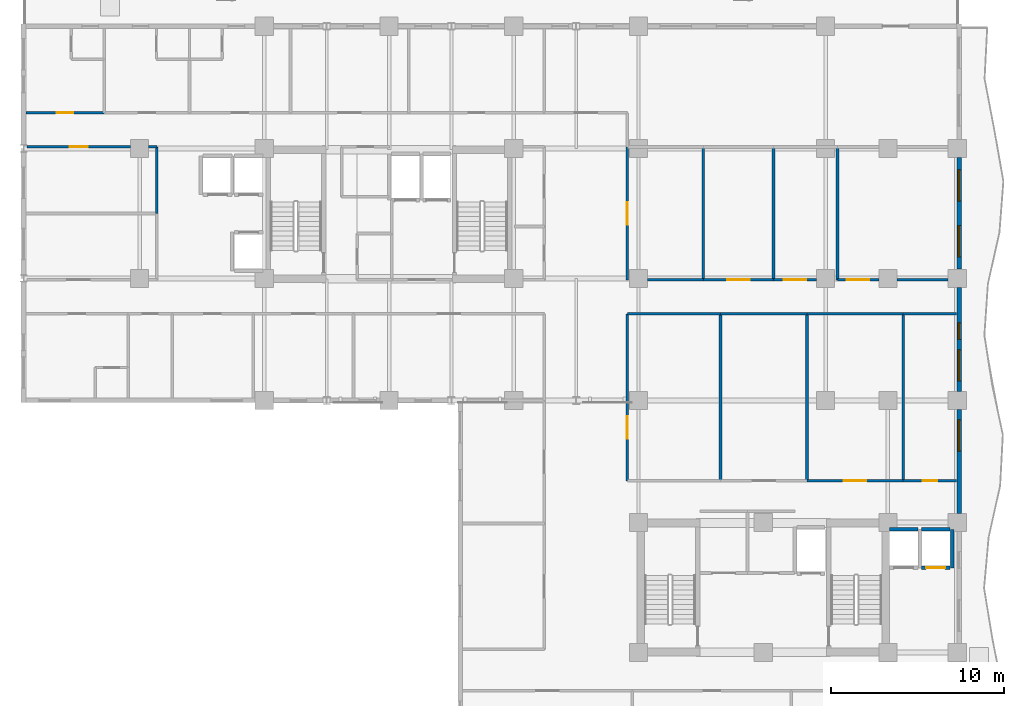
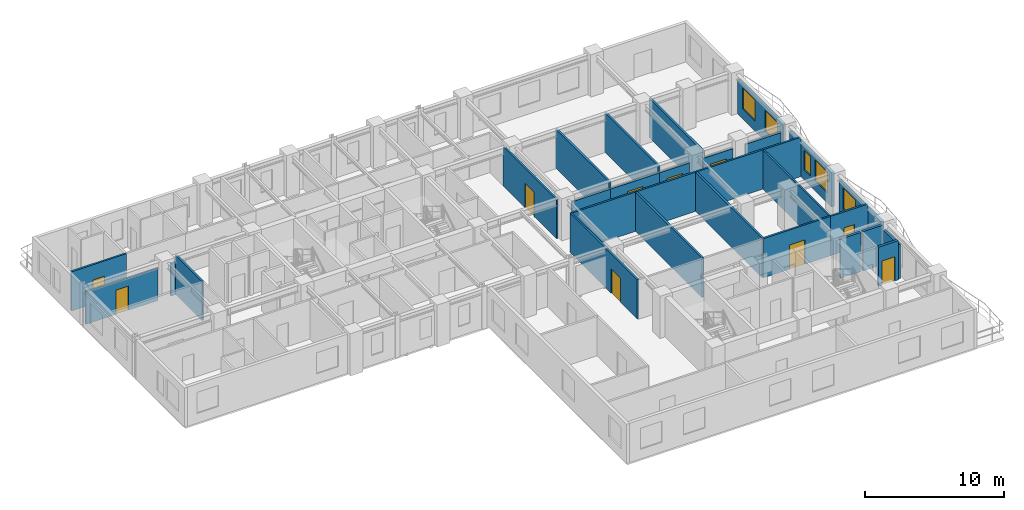
# One storey, part 7 of 13: 30 walls, 10 doors, 5 windows, 15 openings.
"""IFC4 building model written with IfcOpenShell, lengths in metres."""

from ifc_helpers import new_model, si_unit, direction, frame, frame_2d, origin, place, context, subcontext, project, spatial, rectangle, extrude, material, layer, layer_set, type_object, element, fill, save


model = new_model("IFC4")

# Units and contexts
model_context = context("Model", 3, precision=1e-05, world=origin(), true_north=direction((0.0, 1.0)))
body_context = subcontext(model_context, "Body", "Model", "MODEL_VIEW")
ifc_project = project(units=[si_unit("LENGTHUNIT", "METRE"), si_unit("AREAUNIT", "SQUARE_METRE"), si_unit("VOLUMEUNIT", "CUBIC_METRE"), si_unit("PLANEANGLEUNIT", "RADIAN"), si_unit("MASSUNIT", "GRAM", prefix="KILO")], contexts=[model_context])

# Site, building, storey
site_placement = place(None, origin())
site = spatial("IfcSite", under=ifc_project, at=site_placement, CompositionType="ELEMENT")
building_placement = place(site_placement, origin())
building = spatial("IfcBuilding", under=site, at=building_placement, Name="Kaliganga Portal Commons", CompositionType="ELEMENT")
storey_placement = place(building_placement, frame((0.0, 0.0, 158.699951171875)))
storey = spatial("IfcBuildingStorey", under=building, at=storey_placement, Name="L40", CompositionType="ELEMENT", Elevation=158.699951171875)

# Wall, opening, window
ifc_material_1 = material(Name="Insulated Aluminium-Clad Spandrel Assembly", Category="aluminium")
ifc_layer_1 = layer(ifc_material_1, 0.260009765625)
ifc_layer_set_1 = layer_set([ifc_layer_1], Name="Insulated Aluminium-Clad Spandrel Assembly")
wall_type_1 = type_object("IfcWallType", Name="WL-EXT-SPAND-260", PredefinedType="STANDARD", material=ifc_layer_set_1)
wall_1_placement = place(storey_placement, frame((54.5, 21.073974609375, 0.0), z_axis=(0.0, 0.0, 1.0), x_axis=(0.0, -1.0, 0.0)))
wall_1 = element("IfcWall", 1, at=wall_1_placement, inside=storey, type_object=wall_type_1, Name="Exterior Envelope Wall L40 P1-E01-S3", PredefinedType="STANDARD", context=body_context, shape_type="SweptSolid", body=[
    extrude(rectangle(XDim=5.998046875, YDim=0.260009765625, at=frame_2d((2.9990234375, 0.0))), origin(), (0.0, 0.0, 1.0), 2.989990234375),
])
opening_1_placement = place(wall_1_placement, frame((0.599609375, 0.0, 0.85009765625)))
opening_1 = element("IfcOpeningElement", 2, at=opening_1_placement, cuts=wall_1, Name="Opening W-01", PredefinedType="OPENING", context=body_context, shape_type="SweptSolid", body=[
    extrude(rectangle(XDim=1.800048828125, YDim=1.85009765625, at=frame_2d((0.89990234375, 0.925048828125))), frame((0.0, 0.14013671875, 0.0), z_axis=(0.0, -1.0, 0.0), x_axis=(1.0, 0.0, 0.0)), (0.0, 0.0, 1.0), 0.280029296875),
])
ifc_material_2 = material(Name="Thermally Broken Aluminium and Low-E Double Glazing", Category="aluminium")
window_type_1 = type_object("IfcWindowType", Name="WIN-STD-1800", PartitioningType="DOUBLE_PANEL_VERTICAL", PredefinedType="WINDOW", material=ifc_material_2)
window_1_placement = place(opening_1_placement, origin())
window_1 = element("IfcWindow", 3, at=window_1_placement, inside=storey, type_object=window_type_1, Name="Facade Window L40-P1E01S3-00", OverallHeight=1.85009765625, OverallWidth=1.800048828125, PartitioningType="SINGLE_PANEL", PredefinedType="WINDOW", context=body_context, shape_type="SweptSolid", body=[
    extrude(rectangle(XDim=1.800048828125, YDim=1.85009765625, at=frame_2d((0.89990234375, 0.925048828125))), frame((0.0, 0.030029296875, 0.0), z_axis=(0.0, -1.0, 0.0), x_axis=(1.0, 0.0, 0.0)), (0.0, 0.0, 1.0), 0.06005859375),
])
fill(opening_1, window_1)

# Wall, openings, windows
wall_2_placement = place(storey_placement, frame((54.5, 28.1240234375, 0.0), z_axis=(0.0, 0.0, 1.0), x_axis=(0.0, -1.0, 0.0)))
wall_2 = element("IfcWall", 4, at=wall_2_placement, inside=storey, type_object=wall_type_1, Name="Exterior Envelope Wall L40 P1-E01-S4", PredefinedType="STANDARD", context=body_context, shape_type="SweptSolid", body=[
    extrude(rectangle(XDim=5.998046875, YDim=0.260009765625, at=frame_2d((2.9990234375, 0.0))), origin(), (0.0, 0.0, 1.0), 2.989990234375),
])
opening_2_placement = place(wall_2_placement, frame((3.598388671875, 0.0, 0.85009765625)))
opening_2 = element("IfcOpeningElement", 5, at=opening_2_placement, cuts=wall_2, Name="Opening W-01", PredefinedType="OPENING", context=body_context, shape_type="SweptSolid", body=[
    extrude(rectangle(XDim=1.800048828125, YDim=1.85009765625, at=frame_2d((0.89990234375, 0.925048828125))), frame((0.0, 0.14013671875, 0.0), z_axis=(0.0, -1.0, 0.0), x_axis=(1.0, 0.0, 0.0)), (0.0, 0.0, 1.0), 0.280029296875),
])
opening_3_placement = place(wall_2_placement, frame((2.044189453125, 0.0, 0.85009765625)))
opening_3 = element("IfcOpeningElement", 6, at=opening_3_placement, cuts=wall_2, Name="Opening W-04", PredefinedType="OPENING", context=body_context, shape_type="SweptSolid", body=[
    extrude(rectangle(XDim=0.949951171875, YDim=1.75, at=frame_2d((0.47509765625, 0.875))), frame((0.0, 0.14013671875, 0.0), z_axis=(0.0, -1.0, 0.0), x_axis=(1.0, 0.0, 0.0)), (0.0, 0.0, 1.0), 0.280029296875),
])
window_type_2 = type_object("IfcWindowType", Name="WIN-NARROW-950", PartitioningType="SINGLE_PANEL", PredefinedType="WINDOW", material=ifc_material_2)
window_2_placement = place(opening_3_placement, origin())
window_2 = element("IfcWindow", 7, at=window_2_placement, inside=storey, type_object=window_type_2, Name="Facade Window L40-P1E01S4-N5", OverallHeight=1.75, OverallWidth=0.949951171875, PartitioningType="SINGLE_PANEL", PredefinedType="WINDOW", context=body_context, shape_type="SweptSolid", body=[
    extrude(rectangle(XDim=0.949951171875, YDim=1.75, at=frame_2d((0.47509765625, 0.875))), frame((0.0, 0.030029296875, 0.0), z_axis=(0.0, -1.0, 0.0), x_axis=(1.0, 0.0, 0.0)), (0.0, 0.0, 1.0), 0.06005859375),
])
fill(opening_3, window_2)
window_3_placement = place(opening_2_placement, origin())
window_3 = element("IfcWindow", 8, at=window_3_placement, inside=storey, type_object=window_type_1, Name="Facade Window L40-P1E01S4-01", OverallHeight=1.85009765625, OverallWidth=1.800048828125, PartitioningType="SINGLE_PANEL", PredefinedType="WINDOW", context=body_context, shape_type="SweptSolid", body=[
    extrude(rectangle(XDim=1.800048828125, YDim=1.85009765625, at=frame_2d((0.89990234375, 0.925048828125))), frame((0.0, 0.030029296875, 0.0), z_axis=(0.0, -1.0, 0.0), x_axis=(1.0, 0.0, 0.0)), (0.0, 0.0, 1.0), 0.06005859375),
])
fill(opening_2, window_3)

wall_3_placement = place(storey_placement, frame((54.5, 35.6240234375, 0.0), z_axis=(0.0, 0.0, 1.0), x_axis=(0.0, -1.0, 0.0)))
wall_3 = element("IfcWall", 9, at=wall_3_placement, inside=storey, type_object=wall_type_1, Name="Exterior Envelope Wall L40 P1-E01-S5", PredefinedType="STANDARD", context=body_context, shape_type="SweptSolid", body=[
    extrude(rectangle(XDim=6.447998046875, YDim=0.260009765625, at=frame_2d((3.22412109375, 0.0))), origin(), (0.0, 0.0, 1.0), 2.989990234375),
])
opening_4_placement = place(wall_3_placement, frame((0.7119140625, 0.0, 0.85009765625)))
opening_4 = element("IfcOpeningElement", 10, at=opening_4_placement, cuts=wall_3, Name="Opening W-01", PredefinedType="OPENING", context=body_context, shape_type="SweptSolid", body=[
    extrude(rectangle(XDim=1.800048828125, YDim=1.85009765625, at=frame_2d((0.89990234375, 0.925048828125))), frame((0.0, 0.14013671875, 0.0), z_axis=(0.0, -1.0, 0.0), x_axis=(1.0, 0.0, 0.0)), (0.0, 0.0, 1.0), 0.280029296875),
])
opening_5_placement = place(wall_3_placement, frame((3.93603515625, 0.0, 0.85009765625)))
opening_5 = element("IfcOpeningElement", 11, at=opening_5_placement, cuts=wall_3, Name="Opening W-01", PredefinedType="OPENING", context=body_context, shape_type="SweptSolid", body=[
    extrude(rectangle(XDim=1.800048828125, YDim=1.85009765625, at=frame_2d((0.89990234375, 0.925048828125))), frame((0.0, 0.14013671875, 0.0), z_axis=(0.0, -1.0, 0.0), x_axis=(1.0, 0.0, 0.0)), (0.0, 0.0, 1.0), 0.280029296875),
])
window_4_placement = place(opening_4_placement, origin())
window_4 = element("IfcWindow", 12, at=window_4_placement, inside=storey, type_object=window_type_1, Name="Facade Window L40-P1E01S5-00", OverallHeight=1.85009765625, OverallWidth=1.800048828125, PartitioningType="SINGLE_PANEL", PredefinedType="WINDOW", context=body_context, shape_type="SweptSolid", body=[
    extrude(rectangle(XDim=1.800048828125, YDim=1.85009765625, at=frame_2d((0.89990234375, 0.925048828125))), frame((0.0, 0.030029296875, 0.0), z_axis=(0.0, -1.0, 0.0), x_axis=(1.0, 0.0, 0.0)), (0.0, 0.0, 1.0), 0.06005859375),
])
fill(opening_4, window_4)
window_5_placement = place(opening_5_placement, origin())
window_5 = element("IfcWindow", 13, at=window_5_placement, inside=storey, type_object=window_type_1, Name="Facade Window L40-P1E01S5-01", OverallHeight=1.85009765625, OverallWidth=1.800048828125, PartitioningType="SINGLE_PANEL", PredefinedType="WINDOW", context=body_context, shape_type="SweptSolid", body=[
    extrude(rectangle(XDim=1.800048828125, YDim=1.85009765625, at=frame_2d((0.89990234375, 0.925048828125))), frame((0.0, 0.030029296875, 0.0), z_axis=(0.0, -1.0, 0.0), x_axis=(1.0, 0.0, 0.0)), (0.0, 0.0, 1.0), 0.06005859375),
])
fill(opening_5, window_5)

# Wall, opening, door
ifc_material_3 = material(Name="Fire-Rated Gypsum Board on Steel Stud", Category="steel")
ifc_layer_2 = layer(ifc_material_3, 0.14990234375)
ifc_layer_set_2 = layer_set([ifc_layer_2], Name="Fire-Rated Gypsum Board on Steel Stud")
wall_type_2 = type_object("IfcWallType", Name="WL-PART-CORR-150", PredefinedType="PARTITIONING", material=ifc_layer_set_2)
wall_4_placement = place(storey_placement, frame((35.360107421875, 16.9599609375, 0.0), z_axis=(0.0, 0.0, 1.0), x_axis=(0.0, 1.0, 0.0)))
wall_4 = element("IfcWall", 14, at=wall_4_placement, inside=storey, type_object=wall_type_2, Name="Interior Partition L40-015", PredefinedType="PARTITIONING", context=body_context, shape_type="SweptSolid", body=[
    extrude(rectangle(XDim=9.64013671875, YDim=0.14990234375, at=frame_2d((4.820068359375, 0.0))), origin(), (0.0, 0.0, 1.0), 3.43994140625),
])
opening_6_placement = place(wall_4_placement, frame((2.434814453125, 0.0, 0.0)))
opening_6 = element("IfcOpeningElement", 15, at=opening_6_placement, cuts=wall_4, Name="Opening RD-03", PredefinedType="OPENING", context=body_context, shape_type="SweptSolid", body=[
    extrude(rectangle(XDim=1.300048828125, YDim=2.1201171875, at=frame_2d((0.64990234375, 1.06005859375))), frame((0.0, 0.0849609375, 0.0), z_axis=(0.0, -1.0, 0.0), x_axis=(1.0, 0.0, 0.0)), (0.0, 0.0, 1.0), 0.169921875),
])
ifc_material_4 = material(Name="Glazed Timber Seminar Vision Door", Category="wood")
door_type_1 = type_object("IfcDoorType", Name="DR-STUDY-1300", OperationType="DOUBLE_DOOR_SINGLE_SWING", PredefinedType="DOOR", material=ifc_material_4)
door_1_placement = place(opening_6_placement, origin())
door_1 = element("IfcDoor", 16, at=door_1_placement, inside=storey, type_object=door_type_1, Name="Interior Door L40-BM01", OperationType="DOUBLE_DOOR_SINGLE_SWING", OverallHeight=2.1201171875, OverallWidth=1.300048828125, PredefinedType="DOOR", context=body_context, shape_type="SweptSolid", body=[
    extrude(rectangle(XDim=1.300048828125, YDim=2.1201171875, at=frame_2d((0.64990234375, 1.06005859375))), frame((0.0, 0.02490234375, 0.0), z_axis=(0.0, -1.0, 0.0), x_axis=(1.0, 0.0, 0.0)), (0.0, 0.0, 1.0), 0.050048828125),
])
fill(opening_6, door_1)

wall_5_placement = place(storey_placement, frame((0.701904296875, 36.239990234375, 0.0), z_axis=(0.0, 0.0, 1.0), x_axis=(1.0, 0.0, 0.0)))
wall_5 = element("IfcWall", 17, at=wall_5_placement, inside=storey, type_object=wall_type_2, Name="Interior Partition L40-020", PredefinedType="PARTITIONING", context=body_context, shape_type="SweptSolid", body=[
    extrude(rectangle(XDim=5.97314453125, YDim=0.14990234375, at=frame_2d((2.986572265625, 0.0))), origin(), (0.0, 0.0, 1.0), 2.840087890625),
])
opening_7_placement = place(wall_5_placement, frame((2.46142578125, 0.0, 0.0)))
opening_7 = element("IfcOpeningElement", 18, at=opening_7_placement, cuts=wall_5, Name="Opening UD-02", PredefinedType="OPENING", context=body_context, shape_type="SweptSolid", body=[
    extrude(rectangle(XDim=1.050048828125, YDim=2.1201171875, at=frame_2d((0.52490234375, 1.06005859375))), frame((0.0, 0.0849609375, 0.0), z_axis=(0.0, -1.0, 0.0), x_axis=(1.0, 0.0, 0.0)), (0.0, 0.0, 1.0), 0.169921875),
])
ifc_material_5 = material(Name="Accessible Wide-Leaf Acoustic Fire Door", Category="wood")
door_type_2 = type_object("IfcDoorType", Name="DR-ACC-1050", OperationType="NOTDEFINED", PredefinedType="DOOR", material=ifc_material_5)
door_2_placement = place(opening_7_placement, origin())
door_2 = element("IfcDoor", 19, at=door_2_placement, inside=storey, type_object=door_type_2, Name="Interior Door L40-AW02", OperationType="SINGLE_SWING_RIGHT", OverallHeight=2.1201171875, OverallWidth=1.050048828125, PredefinedType="DOOR", context=body_context, shape_type="SweptSolid", body=[
    extrude(rectangle(XDim=1.050048828125, YDim=2.1201171875, at=frame_2d((0.52490234375, 1.06005859375))), frame((0.0, 0.02490234375, 0.0), z_axis=(0.0, -1.0, 0.0), x_axis=(1.0, 0.0, 0.0)), (0.0, 0.0, 1.0), 0.050048828125),
])
fill(opening_7, door_2)

# Wall
wall_6_placement = place(storey_placement, frame((7.72509765625, 36.239990234375, 0.0), z_axis=(0.0, 0.0, 1.0), x_axis=(1.0, 0.0, 0.0)))
element("IfcWall", 20, at=wall_6_placement, inside=storey, type_object=wall_type_2, Name="Interior Partition L40-021", PredefinedType="PARTITIONING", context=body_context, shape_type="SweptSolid", body=[
    extrude(rectangle(XDim=0.474853515625, YDim=0.14990234375, at=frame_2d((0.2373046875, 0.0))), origin(), (0.0, 0.0, 1.0), 2.840087890625),
])

# Wall, opening, door
wall_7_placement = place(storey_placement, frame((35.360107421875, 28.56005859375, 0.0), z_axis=(0.0, 0.0, 1.0), x_axis=(0.0, 1.0, 0.0)))
wall_7 = element("IfcWall", 21, at=wall_7_placement, inside=storey, type_object=wall_type_2, Name="Interior Partition L40-022", PredefinedType="PARTITIONING", context=body_context, shape_type="SweptSolid", body=[
    extrude(rectangle(XDim=7.679931640625, YDim=0.14990234375, at=frame_2d((3.83984375, 0.0))), origin(), (0.0, 0.0, 1.0), 3.43994140625),
])
opening_8_placement = place(wall_7_placement, frame((3.18994140625, 0.0, 0.0)))
opening_8 = element("IfcOpeningElement", 22, at=opening_8_placement, cuts=wall_7, Name="Opening RD-03", PredefinedType="OPENING", context=body_context, shape_type="SweptSolid", body=[
    extrude(rectangle(XDim=1.300048828125, YDim=2.1201171875, at=frame_2d((0.64990234375, 1.06005859375))), frame((0.0, 0.0849609375, 0.0), z_axis=(0.0, -1.0, 0.0), x_axis=(1.0, 0.0, 0.0)), (0.0, 0.0, 1.0), 0.169921875),
])
door_3_placement = place(opening_8_placement, origin())
door_3 = element("IfcDoor", 23, at=door_3_placement, inside=storey, type_object=door_type_1, Name="Interior Door L40-BK01", OperationType="DOUBLE_DOOR_SINGLE_SWING", OverallHeight=2.1201171875, OverallWidth=1.300048828125, PredefinedType="DOOR", context=body_context, shape_type="SweptSolid", body=[
    extrude(rectangle(XDim=1.300048828125, YDim=2.1201171875, at=frame_2d((0.64990234375, 1.06005859375))), frame((0.0, 0.02490234375, 0.0), z_axis=(0.0, -1.0, 0.0), x_axis=(1.0, 0.0, 0.0)), (0.0, 0.0, 1.0), 0.050048828125),
])
fill(opening_8, door_3)

wall_8_placement = place(storey_placement, frame((47.47998046875, 28.56005859375, 0.0), z_axis=(0.0, 0.0, 1.0), x_axis=(1.0, 0.0, 0.0)))
wall_8 = element("IfcWall", 24, at=wall_8_placement, inside=storey, type_object=wall_type_2, Name="Interior Partition L40-025", PredefinedType="PARTITIONING", context=body_context, shape_type="SweptSolid", body=[
    extrude(rectangle(XDim=2.39501953125, YDim=0.14990234375, at=frame_2d((1.197509765625, 0.0))), origin(), (0.0, 0.0, 1.0), 2.840087890625),
])
opening_9_placement = place(wall_8_placement, frame((0.547607421875, 0.0, 0.0)))
opening_9 = element("IfcOpeningElement", 25, at=opening_9_placement, cuts=wall_8, Name="Opening RD-03", PredefinedType="OPENING", context=body_context, shape_type="SweptSolid", body=[
    extrude(rectangle(XDim=1.300048828125, YDim=2.1201171875, at=frame_2d((0.64990234375, 1.06005859375))), frame((0.0, 0.0849609375, 0.0), z_axis=(0.0, -1.0, 0.0), x_axis=(1.0, 0.0, 0.0)), (0.0, 0.0, 1.0), 0.169921875),
])
door_4_placement = place(opening_9_placement, origin())
door_4 = element("IfcDoor", 26, at=door_4_placement, inside=storey, type_object=door_type_1, Name="Interior Door L40-BK04", OperationType="DOUBLE_DOOR_SINGLE_SWING", OverallHeight=2.1201171875, OverallWidth=1.300048828125, PredefinedType="DOOR", context=body_context, shape_type="SweptSolid", body=[
    extrude(rectangle(XDim=1.300048828125, YDim=2.1201171875, at=frame_2d((0.64990234375, 1.06005859375))), frame((0.0, 0.02490234375, 0.0), z_axis=(0.0, -1.0, 0.0), x_axis=(1.0, 0.0, 0.0)), (0.0, 0.0, 1.0), 0.050048828125),
])
fill(opening_9, door_4)

# Wall
wall_9_placement = place(storey_placement, frame((50.925048828125, 28.56005859375, 0.0), z_axis=(0.0, 0.0, 1.0), x_axis=(1.0, 0.0, 0.0)))
element("IfcWall", 27, at=wall_9_placement, inside=storey, type_object=wall_type_2, Name="Interior Partition L40-026", PredefinedType="PARTITIONING", context=body_context, shape_type="SweptSolid", body=[
    extrude(rectangle(XDim=2.949951171875, YDim=0.14990234375, at=frame_2d((1.47509765625, 0.0))), origin(), (0.0, 0.0, 1.0), 2.840087890625),
])

# Wall, opening, door
wall_10_placement = place(storey_placement, frame((45.719970703125, 16.9599609375, 0.0), z_axis=(0.0, 0.0, 1.0), x_axis=(1.0, 0.0, 0.0)))
wall_10 = element("IfcWall", 28, at=wall_10_placement, inside=storey, type_object=wall_type_2, Name="Interior Partition L40-031", PredefinedType="PARTITIONING", context=body_context, shape_type="SweptSolid", body=[
    extrude(rectangle(XDim=5.56005859375, YDim=0.14990234375, at=frame_2d((2.780029296875, 0.0))), origin(), (0.0, 0.0, 1.0), 3.43994140625),
])
opening_10_placement = place(wall_10_placement, frame((2.1298828125, 0.0, 0.0)))
opening_10 = element("IfcOpeningElement", 29, at=opening_10_placement, cuts=wall_10, Name="Opening RD-03", PredefinedType="OPENING", context=body_context, shape_type="SweptSolid", body=[
    extrude(rectangle(XDim=1.300048828125, YDim=2.1201171875, at=frame_2d((0.64990234375, 1.06005859375))), frame((0.0, 0.0849609375, 0.0), z_axis=(0.0, -1.0, 0.0), x_axis=(1.0, 0.0, 0.0)), (0.0, 0.0, 1.0), 0.169921875),
])
door_5_placement = place(opening_10_placement, origin())
door_5 = element("IfcDoor", 30, at=door_5_placement, inside=storey, type_object=door_type_1, Name="Interior Door L40-BM03", OperationType="DOUBLE_DOOR_SINGLE_SWING", OverallHeight=2.1201171875, OverallWidth=1.300048828125, PredefinedType="DOOR", context=body_context, shape_type="SweptSolid", body=[
    extrude(rectangle(XDim=1.300048828125, YDim=2.1201171875, at=frame_2d((0.64990234375, 1.06005859375))), frame((0.0, 0.02490234375, 0.0), z_axis=(0.0, -1.0, 0.0), x_axis=(1.0, 0.0, 0.0)), (0.0, 0.0, 1.0), 0.050048828125),
])
fill(opening_10, door_5)

# Walls
wall_11_placement = place(storey_placement, frame((45.719970703125, 26.60009765625, 0.0), z_axis=(0.0, 0.0, 1.0), x_axis=(1.0, 0.0, 0.0)))
element("IfcWall", 31, at=wall_11_placement, inside=storey, type_object=wall_type_2, Name="Interior Partition L40-032", PredefinedType="PARTITIONING", context=body_context, shape_type="SweptSolid", body=[
    extrude(rectangle(XDim=5.56005859375, YDim=0.14990234375, at=frame_2d((2.780029296875, 0.0))), origin(), (0.0, 0.0, 1.0), 3.43994140625),
])
wall_12_placement = place(storey_placement, frame((35.360107421875, 26.60009765625, 0.0), z_axis=(0.0, 0.0, 1.0), x_axis=(1.0, 0.0, 0.0)))
element("IfcWall", 32, at=wall_12_placement, inside=storey, type_object=wall_type_2, Name="Interior Partition L40-034", PredefinedType="PARTITIONING", context=body_context, shape_type="SweptSolid", body=[
    extrude(rectangle(XDim=5.3798828125, YDim=0.14990234375, at=frame_2d((2.68994140625, 0.0))), origin(), (0.0, 0.0, 1.0), 3.43994140625),
])
wall_13_placement = place(storey_placement, frame((40.739990234375, 26.60009765625, 0.0), z_axis=(0.0, 0.0, 1.0), x_axis=(1.0, 0.0, 0.0)))
element("IfcWall", 33, at=wall_13_placement, inside=storey, type_object=wall_type_2, Name="Interior Partition L40-037", PredefinedType="PARTITIONING", context=body_context, shape_type="SweptSolid", body=[
    extrude(rectangle(XDim=4.97998046875, YDim=0.14990234375, at=frame_2d((2.489990234375, 0.0))), origin(), (0.0, 0.0, 1.0), 3.43994140625),
])

# Wall, opening, door
wall_14_placement = place(storey_placement, frame((0.632080078125, 38.199951171875, 0.0), z_axis=(0.0, 0.0, 1.0), x_axis=(1.0, 0.0, 0.0)))
wall_14 = element("IfcWall", 34, at=wall_14_placement, inside=storey, type_object=wall_type_2, Name="Interior Partition L40-042", PredefinedType="PARTITIONING", context=body_context, shape_type="SweptSolid", body=[
    extrude(rectangle(XDim=4.52783203125, YDim=0.14990234375, at=frame_2d((2.263916015625, 0.0))), origin(), (0.0, 0.0, 1.0), 3.43994140625),
])
opening_11_placement = place(wall_14_placement, frame((1.7890625, 0.0, 0.0)))
opening_11 = element("IfcOpeningElement", 35, at=opening_11_placement, cuts=wall_14, Name="Opening UD-01", PredefinedType="OPENING", context=body_context, shape_type="SweptSolid", body=[
    extrude(rectangle(XDim=0.949951171875, YDim=2.10009765625, at=frame_2d((0.47509765625, 1.050048828125))), frame((0.0, 0.0849609375, 0.0), z_axis=(0.0, -1.0, 0.0), x_axis=(1.0, 0.0, 0.0)), (0.0, 0.0, 1.0), 0.169921875),
])
ifc_material_6 = material(Name="Solid-Core Timber Acoustic Fire Door", Category="wood")
door_type_3 = type_object("IfcDoorType", Name="DR-UNIT-950", OperationType="NOTDEFINED", PredefinedType="DOOR", material=ifc_material_6)
door_6_placement = place(opening_11_placement, origin())
door_6 = element("IfcDoor", 36, at=door_6_placement, inside=storey, type_object=door_type_3, Name="Interior Door L40-AN01", OperationType="SINGLE_SWING_RIGHT", OverallHeight=2.10009765625, OverallWidth=0.949951171875, PredefinedType="DOOR", context=body_context, shape_type="SweptSolid", body=[
    extrude(rectangle(XDim=0.949951171875, YDim=2.10009765625, at=frame_2d((0.47509765625, 1.050048828125))), frame((0.0, 0.02490234375, 0.0), z_axis=(0.0, -1.0, 0.0), x_axis=(1.0, 0.0, 0.0)), (0.0, 0.0, 1.0), 0.050048828125),
])
fill(opening_11, door_6)

# Wall
wall_15_placement = place(storey_placement, frame((36.52490234375, 28.56005859375, 0.0), z_axis=(0.0, 0.0, 1.0), x_axis=(1.0, 0.0, 0.0)))
element("IfcWall", 37, at=wall_15_placement, inside=storey, type_object=wall_type_2, Name="Interior Partition L40-044", PredefinedType="PARTITIONING", context=body_context, shape_type="SweptSolid", body=[
    extrude(rectangle(XDim=3.215087890625, YDim=0.14990234375, at=frame_2d((1.607421875, 0.0))), origin(), (0.0, 0.0, 1.0), 2.840087890625),
])

# Wall, opening, door
wall_16_placement = place(storey_placement, frame((39.739990234375, 28.56005859375, 0.0), z_axis=(0.0, 0.0, 1.0), x_axis=(1.0, 0.0, 0.0)))
wall_16 = element("IfcWall", 38, at=wall_16_placement, inside=storey, type_object=wall_type_2, Name="Interior Partition L40-045", PredefinedType="PARTITIONING", context=body_context, shape_type="SweptSolid", body=[
    extrude(rectangle(XDim=4.06005859375, YDim=0.14990234375, at=frame_2d((2.030029296875, 0.0))), origin(), (0.0, 0.0, 1.0), 2.840087890625),
])
opening_12_placement = place(wall_16_placement, frame((1.3798828125, 0.0, 0.0)))
opening_12 = element("IfcOpeningElement", 39, at=opening_12_placement, cuts=wall_16, Name="Opening RD-03", PredefinedType="OPENING", context=body_context, shape_type="SweptSolid", body=[
    extrude(rectangle(XDim=1.300048828125, YDim=2.1201171875, at=frame_2d((0.64990234375, 1.06005859375))), frame((0.0, 0.0849609375, 0.0), z_axis=(0.0, -1.0, 0.0), x_axis=(1.0, 0.0, 0.0)), (0.0, 0.0, 1.0), 0.169921875),
])
door_7_placement = place(opening_12_placement, origin())
door_7 = element("IfcDoor", 40, at=door_7_placement, inside=storey, type_object=door_type_1, Name="Interior Door L40-BK02", OperationType="DOUBLE_DOOR_SINGLE_SWING", OverallHeight=2.1201171875, OverallWidth=1.300048828125, PredefinedType="DOOR", context=body_context, shape_type="SweptSolid", body=[
    extrude(rectangle(XDim=1.300048828125, YDim=2.1201171875, at=frame_2d((0.64990234375, 1.06005859375))), frame((0.0, 0.02490234375, 0.0), z_axis=(0.0, -1.0, 0.0), x_axis=(1.0, 0.0, 0.0)), (0.0, 0.0, 1.0), 0.050048828125),
])
fill(opening_12, door_7)

# Wall
wall_17_placement = place(storey_placement, frame((8.199951171875, 32.39990234375, 0.0), z_axis=(0.0, 0.0, 1.0), x_axis=(0.0, 1.0, 0.0)))
element("IfcWall", 41, at=wall_17_placement, inside=storey, type_object=wall_type_2, Name="Interior Partition L40-046", PredefinedType="PARTITIONING", context=body_context, shape_type="SweptSolid", body=[
    extrude(rectangle(XDim=3.840087890625, YDim=0.14990234375, at=frame_2d((1.919921875, 0.0))), origin(), (0.0, 0.0, 1.0), 3.43994140625),
])

# Wall, opening, door
wall_18_placement = place(storey_placement, frame((43.800048828125, 28.56005859375, 0.0), z_axis=(0.0, 0.0, 1.0), x_axis=(1.0, 0.0, 0.0)))
wall_18 = element("IfcWall", 42, at=wall_18_placement, inside=storey, type_object=wall_type_2, Name="Interior Partition L40-048", PredefinedType="PARTITIONING", context=body_context, shape_type="SweptSolid", body=[
    extrude(rectangle(XDim=2.474853515625, YDim=0.14990234375, at=frame_2d((1.2373046875, 0.0))), origin(), (0.0, 0.0, 1.0), 2.840087890625),
])
opening_13_placement = place(wall_18_placement, frame((0.58740234375, 0.0, 0.0)))
opening_13 = element("IfcOpeningElement", 43, at=opening_13_placement, cuts=wall_18, Name="Opening RD-03", PredefinedType="OPENING", context=body_context, shape_type="SweptSolid", body=[
    extrude(rectangle(XDim=1.300048828125, YDim=2.1201171875, at=frame_2d((0.64990234375, 1.06005859375))), frame((0.0, 0.0849609375, 0.0), z_axis=(0.0, -1.0, 0.0), x_axis=(1.0, 0.0, 0.0)), (0.0, 0.0, 1.0), 0.169921875),
])
door_8_placement = place(opening_13_placement, origin())
door_8 = element("IfcDoor", 44, at=door_8_placement, inside=storey, type_object=door_type_1, Name="Interior Door L40-BK03", OperationType="DOUBLE_DOOR_SINGLE_SWING", OverallHeight=2.1201171875, OverallWidth=1.300048828125, PredefinedType="DOOR", context=body_context, shape_type="SweptSolid", body=[
    extrude(rectangle(XDim=1.300048828125, YDim=2.1201171875, at=frame_2d((0.64990234375, 1.06005859375))), frame((0.0, 0.02490234375, 0.0), z_axis=(0.0, -1.0, 0.0), x_axis=(1.0, 0.0, 0.0)), (0.0, 0.0, 1.0), 0.050048828125),
])
fill(opening_13, door_8)

wall_19_placement = place(storey_placement, frame((51.280029296875, 16.9599609375, 0.0), z_axis=(0.0, 0.0, 1.0), x_axis=(1.0, 0.0, 0.0)))
wall_19 = element("IfcWall", 45, at=wall_19_placement, inside=storey, type_object=wall_type_2, Name="Interior Partition L40-049", PredefinedType="PARTITIONING", context=body_context, shape_type="SweptSolid", body=[
    extrude(rectangle(XDim=3.087890625, YDim=0.14990234375, at=frame_2d((1.5439453125, 0.0))), origin(), (0.0, 0.0, 1.0), 3.43994140625),
])
opening_14_placement = place(wall_19_placement, frame((1.118896484375, 0.0, 0.0)))
opening_14 = element("IfcOpeningElement", 46, at=opening_14_placement, cuts=wall_19, Name="Opening WD-01", PredefinedType="OPENING", context=body_context, shape_type="SweptSolid", body=[
    extrude(rectangle(XDim=0.85009765625, YDim=2.0400390625, at=frame_2d((0.425048828125, 1.02001953125))), frame((0.0, 0.0849609375, 0.0), z_axis=(0.0, -1.0, 0.0), x_axis=(1.0, 0.0, 0.0)), (0.0, 0.0, 1.0), 0.169921875),
])
ifc_material_7 = material(Name="Moisture-Resistant Laminate Timber Door", Category="wood")
door_type_4 = type_object("IfcDoorType", Name="DR-WET-850", OperationType="NOTDEFINED", PredefinedType="DOOR", material=ifc_material_7)
door_9_placement = place(opening_14_placement, origin())
door_9 = element("IfcDoor", 47, at=door_9_placement, inside=storey, type_object=door_type_4, Name="Interior Door L40-BM04", OperationType="SINGLE_SWING_RIGHT", OverallHeight=2.0400390625, OverallWidth=0.85009765625, PredefinedType="DOOR", context=body_context, shape_type="SweptSolid", body=[
    extrude(rectangle(XDim=0.85009765625, YDim=2.0400390625, at=frame_2d((0.425048828125, 1.02001953125))), frame((0.0, 0.02490234375, 0.0), z_axis=(0.0, -1.0, 0.0), x_axis=(1.0, 0.0, 0.0)), (0.0, 0.0, 1.0), 0.050048828125),
])
fill(opening_14, door_9)

# Walls
wall_20_placement = place(storey_placement, frame((51.280029296875, 26.60009765625, 0.0), z_axis=(0.0, 0.0, 1.0), x_axis=(1.0, 0.0, 0.0)))
element("IfcWall", 48, at=wall_20_placement, inside=storey, type_object=wall_type_2, Name="Interior Partition L40-050", PredefinedType="PARTITIONING", context=body_context, shape_type="SweptSolid", body=[
    extrude(rectangle(XDim=3.087890625, YDim=0.14990234375, at=frame_2d((1.5439453125, 0.0))), origin(), (0.0, 0.0, 1.0), 3.43994140625),
])
ifc_material_8 = material(Name="Twin-Stud Acoustic Gypsum Partition", Category="gypsum")
ifc_layer_3 = layer(ifc_material_8, 0.1650390625)
ifc_layer_set_3 = layer_set([ifc_layer_3], Name="Twin-Stud Acoustic Gypsum Partition")
wall_type_3 = type_object("IfcWallType", Name="WL-PART-UNIT-165", PredefinedType="PARTITIONING", material=ifc_layer_set_3)
for number, where, z_axis, x_axis, name in (
    (49, (40.739990234375, 16.9599609375, 0.0), (0.0, 0.0, 1.0), (0.0, 1.0, 0.0), "Interior Partition L40-068"),
    (50, (45.719970703125, 16.9599609375, 0.0), (0.0, 0.0, 1.0), (0.0, 1.0, 0.0), "Interior Partition L40-069"),
):
    element("IfcWall", number, at=place(storey_placement, frame(where, z_axis=z_axis, x_axis=x_axis)), inside=storey, type_object=wall_type_3, Name=name, PredefinedType="PARTITIONING", context=body_context, shape_type="SweptSolid", body=[
        extrude(rectangle(XDim=9.64013671875, YDim=0.1650390625, at=frame_2d((4.820068359375, 0.0))), origin(), (0.0, 0.0, 1.0), 3.43994140625),
    ])
for number, where, z_axis, x_axis, name in (
    (51, (39.739990234375, 28.56005859375, 0.0), (0.0, 0.0, 1.0), (0.0, 1.0, 0.0), "Interior Partition L40-072"),
    (52, (43.800048828125, 28.56005859375, 0.0), (0.0, 0.0, 1.0), (0.0, 1.0, 0.0), "Interior Partition L40-073"),
    (53, (47.47998046875, 28.56005859375, 0.0), (0.0, 0.0, 1.0), (0.0, 1.0, 0.0), "Interior Partition L40-074"),
):
    element("IfcWall", number, at=place(storey_placement, frame(where, z_axis=z_axis, x_axis=x_axis)), inside=storey, type_object=wall_type_3, Name=name, PredefinedType="PARTITIONING", context=body_context, shape_type="SweptSolid", body=[
        extrude(rectangle(XDim=7.679931640625, YDim=0.1650390625, at=frame_2d((3.83984375, 0.0))), origin(), (0.0, 0.0, 1.0), 3.43994140625),
    ])
ifc_material_9 = material(Name="Cement-Board Wet-Room Partition", Category="gypsum")
ifc_layer_4 = layer(ifc_material_9, 0.135009765625)
ifc_layer_set_4 = layer_set([ifc_layer_4], Name="Cement-Board Wet-Room Partition")
wall_type_4 = type_object("IfcWallType", Name="WL-PART-WET-135", PredefinedType="PARTITIONING", material=ifc_layer_set_4)
wall_21_placement = place(storey_placement, frame((51.280029296875, 16.9599609375, 0.0), z_axis=(0.0, 0.0, 1.0), x_axis=(0.0, 1.0, 0.0)))
element("IfcWall", 54, at=wall_21_placement, inside=storey, type_object=wall_type_4, Name="Interior Partition L40-070", PredefinedType="PARTITIONING", context=body_context, shape_type="SweptSolid", body=[
    extrude(rectangle(XDim=9.64013671875, YDim=0.135009765625, at=frame_2d((4.820068359375, 0.0))), origin(), (0.0, 0.0, 1.0), 3.43994140625),
])
ifc_material_10 = material(Name="Fire-Rated Shaftwall Masonry Assembly", Category="masonry")
ifc_layer_5 = layer(ifc_material_10, 0.199951171875)
ifc_layer_set_5 = layer_set([ifc_layer_5], Name="Fire-Rated Shaftwall Masonry Assembly")
wall_type_5 = type_object("IfcWallType", Name="WL-SHAFT-200", PredefinedType="PARTITIONING", material=ifc_layer_set_5)
wall_22_placement = place(storey_placement, frame((50.47509765625, 14.1650390625, 0.0), z_axis=(0.0, 0.0, 1.0), x_axis=(1.0, 0.0, 0.0)))
element("IfcWall", 55, at=wall_22_placement, inside=storey, type_object=wall_type_5, Name="Lift PL-B3 Hoistway Shaft Wall L40-N", PredefinedType="PARTITIONING", context=body_context, shape_type="SweptSolid", body=[
    extrude(rectangle(XDim=1.64990234375, YDim=0.199951171875, at=frame_2d((0.824951171875, 0.0))), origin(), (0.0, 0.0, 1.0), 3.43994140625),
])

# Wall, opening, door
wall_23_placement = place(storey_placement, frame((52.324951171875, 11.93505859375, 0.0), z_axis=(0.0, 0.0, 1.0), x_axis=(1.0, 0.0, 0.0)))
wall_23 = element("IfcWall", 56, at=wall_23_placement, inside=storey, type_object=wall_type_5, Name="Lift PL-B4 Hoistway Shaft Wall L40-S", PredefinedType="PARTITIONING", context=body_context, shape_type="SweptSolid", body=[
    extrude(rectangle(XDim=1.650146484375, YDim=0.199951171875, at=frame_2d((0.8251953125, 0.0))), origin(), (0.0, 0.0, 1.0), 3.43994140625),
])
opening_15_placement = place(wall_23_placement, frame((0.27490234375, 0.0, 0.0)))
opening_15 = element("IfcOpeningElement", 57, at=opening_15_placement, cuts=wall_23, Name="Opening LD-01", PredefinedType="OPENING", context=body_context, shape_type="SweptSolid", body=[
    extrude(rectangle(XDim=1.10009765625, YDim=2.1201171875, at=frame_2d((0.550048828125, 1.06005859375))), frame((0.0, 0.10986328125, 0.0), z_axis=(0.0, -1.0, 0.0), x_axis=(1.0, 0.0, 0.0)), (0.0, 0.0, 1.0), 0.219970703125),
])
ifc_material_11 = material(Name="Brushed Stainless Steel 316 Lift Landing Door", Category="steel")
door_type_5 = type_object("IfcDoorType", Name="DR-LIFT-1100", OperationType="SLIDING_TO_LEFT", PredefinedType="DOOR", material=ifc_material_11)
door_10_placement = place(opening_15_placement, origin())
door_10 = element("IfcDoor", 58, at=door_10_placement, inside=storey, type_object=door_type_5, Name="Lift PL-B4 Sliding Landing Door L40", OperationType="SLIDING_TO_LEFT", OverallHeight=2.1201171875, OverallWidth=1.10009765625, PredefinedType="DOOR", context=body_context, shape_type="SweptSolid", body=[
    extrude(rectangle(XDim=1.10009765625, YDim=2.1201171875, at=frame_2d((0.550048828125, 1.06005859375))), frame((0.0, 0.02490234375, 0.0), z_axis=(0.0, -1.0, 0.0), x_axis=(1.0, 0.0, 0.0)), (0.0, 0.0, 1.0), 0.050048828125),
])
fill(opening_15, door_10)

# Walls
wall_24_placement = place(storey_placement, frame((52.324951171875, 14.1650390625, 0.0), z_axis=(0.0, 0.0, 1.0), x_axis=(1.0, 0.0, 0.0)))
element("IfcWall", 59, at=wall_24_placement, inside=storey, type_object=wall_type_5, Name="Lift PL-B4 Hoistway Shaft Wall L40-N", PredefinedType="PARTITIONING", context=body_context, shape_type="SweptSolid", body=[
    extrude(rectangle(XDim=1.650146484375, YDim=0.199951171875, at=frame_2d((0.8251953125, 0.0))), origin(), (0.0, 0.0, 1.0), 3.43994140625),
])
wall_25_placement = place(storey_placement, frame((54.114990234375, 11.93505859375, 0.0), z_axis=(0.0, 0.0, 1.0), x_axis=(0.0, 1.0, 0.0)))
element("IfcWall", 60, at=wall_25_placement, inside=storey, type_object=wall_type_5, Name="Lift PL-B4 Hoistway Shaft Wall L40-E", PredefinedType="PARTITIONING", context=body_context, shape_type="SweptSolid", body=[
    extrude(rectangle(XDim=2.22998046875, YDim=0.199951171875, at=frame_2d((1.114990234375, 0.0))), origin(), (0.0, 0.0, 1.0), 2.989990234375),
])

save(model, "model.ifc")
